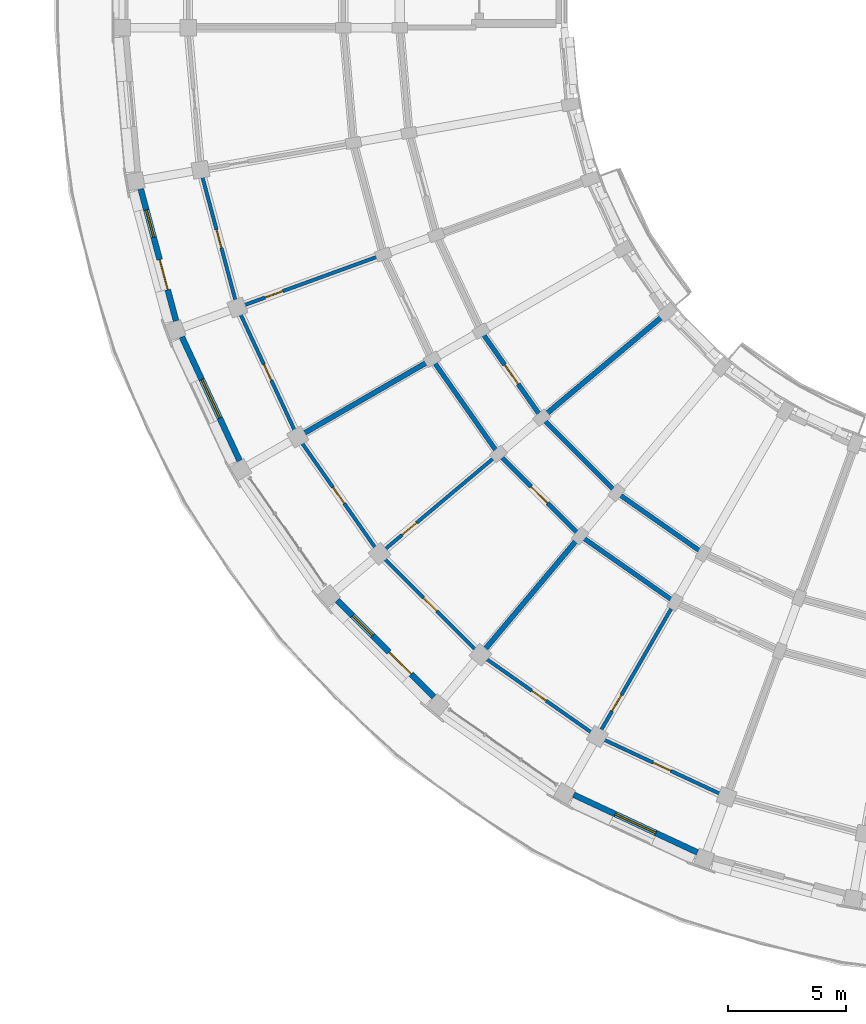
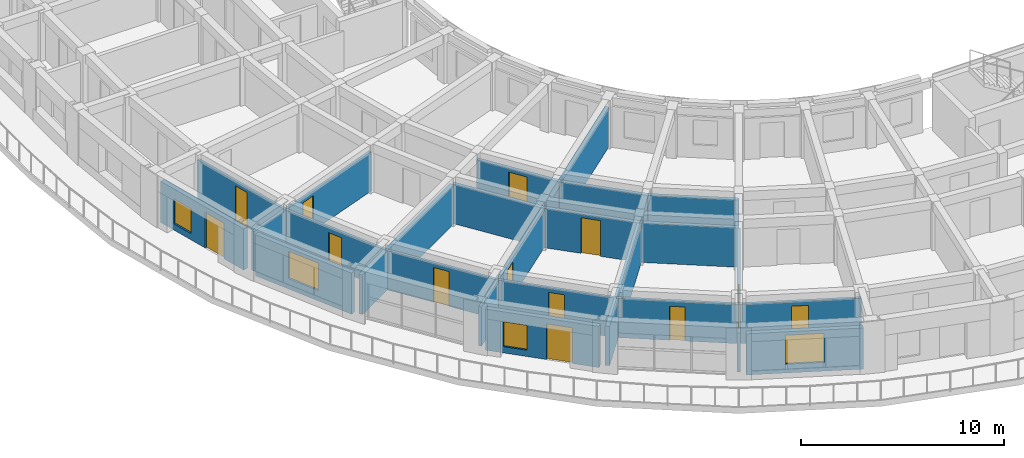
# One storey, part 16 of 54: 22 walls, 13 doors, 4 windows, 17 openings.
"""IFC4 building model written with IfcOpenShell, lengths in metres."""

from ifc_helpers import new_model, si_unit, direction, frame, frame_2d, origin, place, context, subcontext, project, spatial, rectangle, extrude, material, layer, layer_set, type_object, element, fill, save


model = new_model("IFC4")

# Units and contexts
model_context = context("Model", 3, precision=1e-05, world=origin(), true_north=direction((0.0, 1.0)))
body_context = subcontext(model_context, "Body", "Model", "MODEL_VIEW")
ifc_project = project(units=[si_unit("LENGTHUNIT", "METRE"), si_unit("AREAUNIT", "SQUARE_METRE"), si_unit("VOLUMEUNIT", "CUBIC_METRE"), si_unit("PLANEANGLEUNIT", "RADIAN"), si_unit("MASSUNIT", "GRAM", prefix="KILO")], contexts=[model_context])

# Site, building, storey
site_placement = place(None, origin())
site = spatial("IfcSite", under=ifc_project, at=site_placement, CompositionType="ELEMENT")
building_placement = place(site_placement, origin())
building = spatial("IfcBuilding", under=site, at=building_placement, Name="Kiranvali Square Residences", CompositionType="ELEMENT")
storey_placement = place(building_placement, frame((0.0, 0.0, 27.60009765625)))
storey = spatial("IfcBuildingStorey", under=building, at=storey_placement, Name="L08", CompositionType="ELEMENT", Elevation=27.60009765625)

# Walls
ifc_material_1 = material(Name="Autoclaved aerated concrete blockwork masonry", Category="masonry")
ifc_layer_1 = layer(ifc_material_1, 0.199951171875)
ifc_layer_set_1 = layer_set([ifc_layer_1], Name="Autoclaved aerated concrete blockwork masonry")
wall_type_1 = type_object("IfcWallType", Name="WL-COR-200", PredefinedType="STANDARD", material=ifc_layer_set_1)
wall_1_placement = place(storey_placement, frame((35.300048828125, 25.8564453125, 0.0), z_axis=(0.0, 0.0, 1.0), x_axis=(-0.819155404658, 0.573571637217, 0.0)))
element("IfcWall", 1, at=wall_1_placement, inside=storey, type_object=wall_type_1, Name="L08 architectural wall WL-L08-C-CCI-3", PredefinedType="STANDARD", context=body_context, shape_type="SweptSolid", body=[
    extrude(rectangle(XDim=4.497314453125, YDim=0.199951171875, at=frame_2d((2.24853515625, 0.0))), origin(), (0.0, 0.0, 1.0), 2.371826171875),
])
wall_2_placement = place(storey_placement, frame((34.10009765625, 23.778076171875, 0.0), z_axis=(0.0, 0.0, 1.0), x_axis=(-0.819140911474, 0.573592335331, 0.0)))
element("IfcWall", 2, at=wall_2_placement, inside=storey, type_object=wall_type_1, Name="L08 architectural wall WL-L08-C-CCO-3", PredefinedType="STANDARD", context=body_context, shape_type="SweptSolid", body=[
    extrude(rectangle(XDim=4.915771484375, YDim=0.199951171875, at=frame_2d((2.4580078125, 0.0))), origin(), (0.0, 0.0, 1.0), 2.371826171875),
])
wall_3_placement = place(storey_placement, frame((31.615966796875, 28.43603515625, 0.0), z_axis=(0.0, 0.0, 1.0), x_axis=(-0.707106781187, 0.707106781187, 0.0)))
element("IfcWall", 3, at=wall_3_placement, inside=storey, type_object=wall_type_1, Name="L08 architectural wall WL-L08-C-CCI-4", PredefinedType="STANDARD", context=body_context, shape_type="SweptSolid", body=[
    extrude(rectangle(XDim=4.4970703125, YDim=0.199951171875, at=frame_2d((2.24853515625, 0.0))), origin(), (0.0, 0.0, 1.0), 2.371826171875),
])

# Wall, opening, door
wall_4_placement = place(storey_placement, frame((30.073486328125, 26.59765625, 0.0), z_axis=(0.0, 0.0, 1.0), x_axis=(-0.707106781187, 0.707106781187, 0.0)))
wall_4 = element("IfcWall", 4, at=wall_4_placement, inside=storey, type_object=wall_type_1, Name="L08 architectural wall WL-L08-C-CCO-4", PredefinedType="STANDARD", context=body_context, shape_type="SweptSolid", body=[
    extrude(rectangle(XDim=4.91552734375, YDim=0.199951171875, at=frame_2d((2.457763671875, 0.0))), origin(), (0.0, 0.0, 1.0), 2.371826171875),
])
opening_1_placement = place(wall_4_placement, frame((1.957763671875, 0.0, 0.0)))
opening_1 = element("IfcOpeningElement", 5, at=opening_1_placement, cuts=wall_4, Name="Opening FD-APT-60", PredefinedType="OPENING", context=body_context, shape_type="SweptSolid", body=[
    extrude(rectangle(XDim=1.0, YDim=2.14990234375, at=frame_2d((0.5, 1.074951171875))), frame((0.0, 0.10986328125, 0.0), z_axis=(0.0, -1.0, 0.0), x_axis=(1.0, 0.0, 0.0)), (0.0, 0.0, 1.0), 0.219970703125),
])
ifc_material_2 = material(Name="Fire-rated acoustic hardwood and mineral-core door assembly", Category="wood")
door_type_1 = type_object("IfcDoorType", Name="DR-APT-1000", OperationType="NOTDEFINED", PredefinedType="DOOR", material=ifc_material_2)
door_1_placement = place(opening_1_placement, frame((1.0, 0.0, 0.0), z_axis=(0.0, 0.0, 1.0), x_axis=(-1.0, 0.0, 0.0)))
door_1 = element("IfcDoor", 6, at=door_1_placement, inside=storey, type_object=door_type_1, Name="L08 door DR-L08-2234 (DR-APT-1000)", OperationType="SINGLE_SWING_RIGHT", OverallHeight=2.14990234375, OverallWidth=1.0, PredefinedType="DOOR", context=body_context, shape_type="SweptSolid", body=[
    extrude(rectangle(XDim=1.0, YDim=2.14990234375, at=frame_2d((0.5, 1.074951171875))), frame((0.0, 0.02490234375, 0.0), z_axis=(0.0, -1.0, 0.0), x_axis=(1.0, 0.0, 0.0)), (0.0, 0.0, 1.0), 0.050048828125),
])
fill(opening_1, door_1)

wall_5_placement = place(storey_placement, frame((28.43603515625, 31.615966796875, 0.0), z_axis=(0.0, 0.0, 1.0), x_axis=(-0.573571637217, 0.819155404658, 0.0)))
wall_5 = element("IfcWall", 7, at=wall_5_placement, inside=storey, type_object=wall_type_1, Name="L08 architectural wall WL-L08-C-CCI-5", PredefinedType="STANDARD", context=body_context, shape_type="SweptSolid", body=[
    extrude(rectangle(XDim=4.497314453125, YDim=0.199951171875, at=frame_2d((2.24853515625, 0.0))), origin(), (0.0, 0.0, 1.0), 2.371826171875),
])
opening_2_placement = place(wall_5_placement, frame((1.74853515625, 0.0, 0.0)))
opening_2 = element("IfcOpeningElement", 8, at=opening_2_placement, cuts=wall_5, Name="Opening FD-APT-60", PredefinedType="OPENING", context=body_context, shape_type="SweptSolid", body=[
    extrude(rectangle(XDim=1.0, YDim=2.14990234375, at=frame_2d((0.5, 1.074951171875))), frame((0.0, 0.10986328125, 0.0), z_axis=(0.0, -1.0, 0.0), x_axis=(1.0, 0.0, 0.0)), (0.0, 0.0, 1.0), 0.219970703125),
])
door_2_placement = place(opening_2_placement, origin())
door_2 = element("IfcDoor", 9, at=door_2_placement, inside=storey, type_object=door_type_1, Name="L08 door DR-L08-2243 (DR-APT-1000)", OperationType="SINGLE_SWING_LEFT", OverallHeight=2.14990234375, OverallWidth=1.0, PredefinedType="DOOR", context=body_context, shape_type="SweptSolid", body=[
    extrude(rectangle(XDim=1.0, YDim=2.14990234375, at=frame_2d((0.5, 1.074951171875))), frame((0.0, 0.02490234375, 0.0), z_axis=(0.0, -1.0, 0.0), x_axis=(1.0, 0.0, 0.0)), (0.0, 0.0, 1.0), 0.050048828125),
])
fill(opening_2, door_2)

# Walls
wall_6_placement = place(storey_placement, frame((26.59765625, 30.073486328125, 0.0), z_axis=(0.0, 0.0, 1.0), x_axis=(-0.573592335331, 0.819140911474, 0.0)))
element("IfcWall", 10, at=wall_6_placement, inside=storey, type_object=wall_type_1, Name="L08 architectural wall WL-L08-C-CCO-5", PredefinedType="STANDARD", context=body_context, shape_type="SweptSolid", body=[
    extrude(rectangle(XDim=4.915771484375, YDim=0.199951171875, at=frame_2d((2.4580078125, 0.0))), origin(), (0.0, 0.0, 1.0), 2.371826171875),
])
ifc_layer_2 = layer(ifc_material_1, 0.219970703125)
ifc_layer_set_2 = layer_set([ifc_layer_2], Name="Autoclaved aerated concrete blockwork masonry")
wall_type_2 = type_object("IfcWallType", Name="WL-DEM-220", PredefinedType="STANDARD", material=ifc_layer_set_2)
wall_7_placement = place(storey_placement, frame((30.009033203125, 26.52099609375, 0.0), z_axis=(0.0, 0.0, 1.0), x_axis=(-0.642784468535, -0.766047078847, 0.0)))
element("IfcWall", 11, at=wall_7_placement, inside=storey, type_object=wall_type_2, Name="L08 architectural wall WL-L08-C-RADO-4", PredefinedType="STANDARD", context=body_context, shape_type="SweptSolid", body=[
    extrude(rectangle(XDim=9.02001953125, YDim=0.219970703125, at=frame_2d((4.510009765625, 0.0))), origin(), (0.0, 0.0, 1.0), 2.371826171875),
])
wall_8_placement = place(storey_placement, frame((33.645263671875, 35.987060546875, 0.0), z_axis=(0.0, 0.0, 1.0), x_axis=(-0.766046761698, -0.642784846501, 0.0)))
element("IfcWall", 12, at=wall_8_placement, inside=storey, type_object=wall_type_2, Name="L08 architectural wall WL-L08-C-RADI-5", PredefinedType="STANDARD", context=body_context, shape_type="SweptSolid", body=[
    extrude(rectangle(XDim=6.75, YDim=0.219970703125, at=frame_2d((3.375, 0.0))), origin(), (0.0, 0.0, 1.0), 2.371826171875),
])
wall_9_placement = place(storey_placement, frame((23.69140625, 34.050048828125, 0.0), z_axis=(0.0, 0.0, 1.0), x_axis=(-0.866024222538, -0.500002045973, 0.0)))
element("IfcWall", 13, at=wall_9_placement, inside=storey, type_object=wall_type_2, Name="L08 architectural wall WL-L08-C-RADO-6", PredefinedType="STANDARD", context=body_context, shape_type="SweptSolid", body=[
    extrude(rectangle(XDim=9.02001953125, YDim=0.219970703125, at=frame_2d((4.510009765625, 0.0))), origin(), (0.0, 0.0, 1.0), 2.371826171875),
])

# Wall, opening, window
ifc_material_3 = material(Name="Breathable lime-rendered clay brick masonry", Category="masonry")
ifc_layer_3 = layer(ifc_material_3, 0.25)
ifc_layer_set_3 = layer_set([ifc_layer_3], Name="Breathable lime-rendered clay brick masonry")
wall_type_3 = type_object("IfcWallType", Name="WL-EXT-250", PredefinedType="STANDARD", material=ifc_layer_set_3)
wall_10_placement = place(storey_placement, frame((35.05224609375, 13.1396484375, 0.0), z_axis=(0.0, 0.0, 1.0), x_axis=(-0.906312089251, 0.422609035489, 0.0)))
wall_10 = element("IfcWall", 14, at=wall_10_placement, inside=storey, type_object=wall_type_3, Name="L08 exterior wall C-L08-CRV-02", PredefinedType="STANDARD", context=body_context, shape_type="SweptSolid", body=[
    extrude(rectangle(XDim=5.802490234375, YDim=0.25, at=frame_2d((2.9013671875, 0.0))), origin(), (0.0, 0.0, 1.0), 2.47998046875),
])
opening_3_placement = place(wall_10_placement, frame((1.951171875, 0.0, 0.530029296875)))
opening_3 = element("IfcOpeningElement", 15, at=opening_3_placement, cuts=wall_10, Name="Opening W-21", PredefinedType="OPENING", context=body_context, shape_type="SweptSolid", body=[
    extrude(rectangle(XDim=1.89990234375, YDim=1.75, at=frame_2d((0.949951171875, 0.875))), frame((0.0, 0.135009765625, 0.0), z_axis=(0.0, -1.0, 0.0), x_axis=(1.0, 0.0, 0.0)), (0.0, 0.0, 1.0), 0.27001953125),
])
ifc_material_4 = material(Name="Solar-control low-e double glazing", Category="glass")
window_type_1 = type_object("IfcWindowType", Name="WIN-TER-1900x1750", PartitioningType="DOUBLE_PANEL_VERTICAL", PredefinedType="WINDOW", material=ifc_material_4)
window_1_placement = place(opening_3_placement, origin())
window_1 = element("IfcWindow", 16, at=window_1_placement, inside=storey, type_object=window_type_1, Name="L08 recessed window C-L08-CRV-02", OverallHeight=1.75, OverallWidth=1.89990234375, PartitioningType="DOUBLE_PANEL_VERTICAL", PredefinedType="WINDOW", context=body_context, shape_type="SweptSolid", body=[
    extrude(rectangle(XDim=1.89990234375, YDim=1.75, at=frame_2d((0.949951171875, 0.875))), frame((0.0, 0.030029296875, 0.0), z_axis=(0.0, -1.0, 0.0), x_axis=(1.0, 0.0, 0.0)), (0.0, 0.0, 1.0), 0.06005859375),
])
fill(opening_3, window_1)

# Wall, openings, door, window
wall_11_placement = place(storey_placement, frame((23.853759765625, 19.7509765625, 0.0), z_axis=(0.0, 0.0, 1.0), x_axis=(-0.707106781187, 0.707106781187, 0.0)))
wall_11 = element("IfcWall", 17, at=wall_11_placement, inside=storey, type_object=wall_type_3, Name="L08 exterior wall C-L08-CRV-04", PredefinedType="STANDARD", context=body_context, shape_type="SweptSolid", body=[
    extrude(rectangle(XDim=5.80224609375, YDim=0.25, at=frame_2d((2.901123046875, 0.0))), origin(), (0.0, 0.0, 1.0), 2.47998046875),
])
opening_4_placement = place(wall_11_placement, frame((3.68212890625, 0.0, 0.3798828125)))
opening_4 = element("IfcOpeningElement", 18, at=opening_4_placement, cuts=wall_11, Name="Opening W-06", PredefinedType="OPENING", context=body_context, shape_type="SweptSolid", body=[
    extrude(rectangle(XDim=1.199951171875, YDim=1.5, at=frame_2d((0.60009765625, 0.75))), frame((0.0, 0.135009765625, 0.0), z_axis=(0.0, -1.0, 0.0), x_axis=(1.0, 0.0, 0.0)), (0.0, 0.0, 1.0), 0.27001953125),
])
opening_5_placement = place(wall_11_placement, frame((1.370849609375, 0.0, 0.0)))
opening_5 = element("IfcOpeningElement", 19, at=opening_5_placement, cuts=wall_11, Name="Opening ED-BAL-3", PredefinedType="OPENING", context=body_context, shape_type="SweptSolid", body=[
    extrude(rectangle(XDim=1.320068359375, YDim=2.14990234375, at=frame_2d((0.66015625, 1.074951171875))), frame((0.0, 0.135009765625, 0.0), z_axis=(0.0, -1.0, 0.0), x_axis=(1.0, 0.0, 0.0)), (0.0, 0.0, 1.0), 0.27001953125),
])
ifc_material_5 = material(Name="Anodised bronze aluminium framing", Category="aluminium")
door_type_2 = type_object("IfcDoorType", Name="DR-BAL-1320", OperationType="NOTDEFINED", PredefinedType="DOOR", material=ifc_material_5)
door_3_placement = place(opening_5_placement, origin())
door_3 = element("IfcDoor", 20, at=door_3_placement, inside=storey, type_object=door_type_2, Name="L08 balcony terrace door", OperationType="SINGLE_SWING_LEFT", OverallHeight=2.14990234375, OverallWidth=1.320068359375, PredefinedType="DOOR", context=body_context, shape_type="SweptSolid", body=[
    extrude(rectangle(XDim=1.320068359375, YDim=2.14990234375, at=frame_2d((0.66015625, 1.074951171875))), frame((0.0, 0.02490234375, 0.0), z_axis=(0.0, -1.0, 0.0), x_axis=(1.0, 0.0, 0.0)), (0.0, 0.0, 1.0), 0.050048828125),
])
fill(opening_5, door_3)
window_type_2 = type_object("IfcWindowType", Name="WIN-RES-1200x1500", PartitioningType="SINGLE_PANEL", PredefinedType="WINDOW", material=ifc_material_4)
window_2_placement = place(opening_4_placement, origin())
window_2 = element("IfcWindow", 21, at=window_2_placement, inside=storey, type_object=window_type_2, Name="L08 recessed window C-L08-CRV-04", OverallHeight=1.5, OverallWidth=1.199951171875, PartitioningType="SINGLE_PANEL", PredefinedType="WINDOW", context=body_context, shape_type="SweptSolid", body=[
    extrude(rectangle(XDim=1.199951171875, YDim=1.5, at=frame_2d((0.60009765625, 0.75))), frame((0.0, 0.030029296875, 0.0), z_axis=(0.0, -1.0, 0.0), x_axis=(1.0, 0.0, 0.0)), (0.0, 0.0, 1.0), 0.06005859375),
])
fill(opening_4, window_2)

# Wall, opening, window
wall_12_placement = place(storey_placement, frame((15.591796875, 29.79345703125, 0.0), z_axis=(0.0, 0.0, 1.0), x_axis=(-0.422609035489, 0.906312089251, 0.0)))
wall_12 = element("IfcWall", 22, at=wall_12_placement, inside=storey, type_object=wall_type_3, Name="L08 exterior wall C-L08-CRV-06", PredefinedType="STANDARD", context=body_context, shape_type="SweptSolid", body=[
    extrude(rectangle(XDim=5.802490234375, YDim=0.25, at=frame_2d((2.9013671875, 0.0))), origin(), (0.0, 0.0, 1.0), 2.47998046875),
])
opening_6_placement = place(wall_12_placement, frame((2.001220703125, 0.0, 0.6298828125)))
opening_6 = element("IfcOpeningElement", 23, at=opening_6_placement, cuts=wall_12, Name="Opening W-04", PredefinedType="OPENING", context=body_context, shape_type="SweptSolid", body=[
    extrude(rectangle(XDim=1.800048828125, YDim=1.64990234375, at=frame_2d((0.89990234375, 0.824951171875))), frame((0.0, 0.135009765625, 0.0), z_axis=(0.0, -1.0, 0.0), x_axis=(1.0, 0.0, 0.0)), (0.0, 0.0, 1.0), 0.27001953125),
])
window_type_3 = type_object("IfcWindowType", Name="WIN-RES-1800x1650", PartitioningType="DOUBLE_PANEL_VERTICAL", PredefinedType="WINDOW", material=ifc_material_4)
window_3_placement = place(opening_6_placement, origin())
window_3 = element("IfcWindow", 24, at=window_3_placement, inside=storey, type_object=window_type_3, Name="L08 recessed window C-L08-CRV-06", OverallHeight=1.64990234375, OverallWidth=1.800048828125, PartitioningType="DOUBLE_PANEL_VERTICAL", PredefinedType="WINDOW", context=body_context, shape_type="SweptSolid", body=[
    extrude(rectangle(XDim=1.800048828125, YDim=1.64990234375, at=frame_2d((0.89990234375, 0.824951171875))), frame((0.0, 0.030029296875, 0.0), z_axis=(0.0, -1.0, 0.0), x_axis=(1.0, 0.0, 0.0)), (0.0, 0.0, 1.0), 0.06005859375),
])
fill(opening_6, window_3)

# Wall, openings, door, window
wall_13_placement = place(storey_placement, frame((12.89111328125, 35.7353515625, 0.0), z_axis=(0.0, 0.0, 1.0), x_axis=(-0.258846147355, 0.965918563855, 0.0)))
wall_13 = element("IfcWall", 25, at=wall_13_placement, inside=storey, type_object=wall_type_3, Name="L08 exterior wall C-L08-CRV-07", PredefinedType="STANDARD", context=body_context, shape_type="SweptSolid", body=[
    extrude(rectangle(XDim=5.802490234375, YDim=0.25, at=frame_2d((2.9013671875, 0.0))), origin(), (0.0, 0.0, 1.0), 2.47998046875),
])
opening_7_placement = place(wall_13_placement, frame((3.68212890625, 0.0, 0.3798828125)))
opening_7 = element("IfcOpeningElement", 26, at=opening_7_placement, cuts=wall_13, Name="Opening W-06", PredefinedType="OPENING", context=body_context, shape_type="SweptSolid", body=[
    extrude(rectangle(XDim=1.199951171875, YDim=1.5, at=frame_2d((0.60009765625, 0.75))), frame((0.0, 0.135009765625, 0.0), z_axis=(0.0, -1.0, 0.0), x_axis=(1.0, 0.0, 0.0)), (0.0, 0.0, 1.0), 0.27001953125),
])
opening_8_placement = place(wall_13_placement, frame((1.370849609375, 0.0, 0.0)))
opening_8 = element("IfcOpeningElement", 27, at=opening_8_placement, cuts=wall_13, Name="Opening ED-BAL-3", PredefinedType="OPENING", context=body_context, shape_type="SweptSolid", body=[
    extrude(rectangle(XDim=1.320068359375, YDim=2.14990234375, at=frame_2d((0.66015625, 1.074951171875))), frame((0.0, 0.135009765625, 0.0), z_axis=(0.0, -1.0, 0.0), x_axis=(1.0, 0.0, 0.0)), (0.0, 0.0, 1.0), 0.27001953125),
])
door_4_placement = place(opening_8_placement, origin())
door_4 = element("IfcDoor", 28, at=door_4_placement, inside=storey, type_object=door_type_2, Name="L08 balcony terrace door", OperationType="SINGLE_SWING_RIGHT", OverallHeight=2.14990234375, OverallWidth=1.320068359375, PredefinedType="DOOR", context=body_context, shape_type="SweptSolid", body=[
    extrude(rectangle(XDim=1.320068359375, YDim=2.14990234375, at=frame_2d((0.66015625, 1.074951171875))), frame((0.0, 0.02490234375, 0.0), z_axis=(0.0, -1.0, 0.0), x_axis=(1.0, 0.0, 0.0)), (0.0, 0.0, 1.0), 0.050048828125),
])
fill(opening_8, door_4)
window_4_placement = place(opening_7_placement, origin())
window_4 = element("IfcWindow", 29, at=window_4_placement, inside=storey, type_object=window_type_2, Name="L08 recessed window C-L08-CRV-07", OverallHeight=1.5, OverallWidth=1.199951171875, PartitioningType="SINGLE_PANEL", PredefinedType="WINDOW", context=body_context, shape_type="SweptSolid", body=[
    extrude(rectangle(XDim=1.199951171875, YDim=1.5, at=frame_2d((0.60009765625, 0.75))), frame((0.0, 0.030029296875, 0.0), z_axis=(0.0, -1.0, 0.0), x_axis=(1.0, 0.0, 0.0)), (0.0, 0.0, 1.0), 0.06005859375),
])
fill(opening_7, window_4)

# Wall, opening, door
ifc_material_6 = material(Name="Acoustic gypsum board drylined partition", Category="gypsum")
ifc_layer_4 = layer(ifc_material_6, 0.14990234375)
ifc_layer_set_4 = layer_set([ifc_layer_4], Name="Acoustic gypsum board drylined partition")
wall_type_4 = type_object("IfcWallType", Name="WL-PRT-150", PredefinedType="PARTITIONING", material=ifc_layer_set_4)
wall_14_placement = place(storey_placement, frame((34.050048828125, 23.69140625, 0.0), z_axis=(0.0, 0.0, 1.0), x_axis=(-0.500002045973, -0.866024222538, 0.0)))
wall_14 = element("IfcWall", 30, at=wall_14_placement, inside=storey, type_object=wall_type_4, Name="L08 architectural wall WL-L08-C-RADO-3", PredefinedType="PARTITIONING", context=body_context, shape_type="SweptSolid", body=[
    extrude(rectangle(XDim=9.02001953125, YDim=0.14990234375, at=frame_2d((4.510009765625, 0.0))), origin(), (0.0, 0.0, 1.0), 2.371826171875),
])
opening_9_placement = place(wall_14_placement, frame((4.449951171875, 0.0, 0.0)))
opening_9 = element("IfcOpeningElement", 31, at=opening_9_placement, cuts=wall_14, Name="Opening ID-WET", PredefinedType="OPENING", context=body_context, shape_type="SweptSolid", body=[
    extrude(rectangle(XDim=0.800048828125, YDim=2.10009765625, at=frame_2d((0.39990234375, 1.050048828125))), frame((0.0, 0.0849609375, 0.0), z_axis=(0.0, -1.0, 0.0), x_axis=(1.0, 0.0, 0.0)), (0.0, 0.0, 1.0), 0.169921875),
])
ifc_material_7 = material(Name="Solid seasoned teak hardwood joinery", Category="wood")
door_type_3 = type_object("IfcDoorType", Name="DR-WET-800", OperationType="NOTDEFINED", PredefinedType="DOOR", material=ifc_material_7)
door_5_placement = place(opening_9_placement, frame((0.800048828125, 0.0, 0.0), z_axis=(0.0, 0.0, 1.0), x_axis=(-1.0, 0.0, 0.0)))
door_5 = element("IfcDoor", 32, at=door_5_placement, inside=storey, type_object=door_type_3, Name="L08 door DR-L08-2224 (DR-WET-800)", OperationType="SINGLE_SWING_RIGHT", OverallHeight=2.10009765625, OverallWidth=0.800048828125, PredefinedType="DOOR", context=body_context, shape_type="SweptSolid", body=[
    extrude(rectangle(XDim=0.800048828125, YDim=2.10009765625, at=frame_2d((0.39990234375, 1.050048828125))), frame((0.0, 0.02490234375, 0.0), z_axis=(0.0, -1.0, 0.0), x_axis=(1.0, 0.0, 0.0)), (0.0, 0.0, 1.0), 0.050048828125),
])
fill(opening_9, door_5)

wall_15_placement = place(storey_placement, frame((26.52099609375, 30.009033203125, 0.0), z_axis=(0.0, 0.0, 1.0), x_axis=(-0.766047078847, -0.642784468535, 0.0)))
wall_15 = element("IfcWall", 33, at=wall_15_placement, inside=storey, type_object=wall_type_4, Name="L08 architectural wall WL-L08-C-RADO-5", PredefinedType="PARTITIONING", context=body_context, shape_type="SweptSolid", body=[
    extrude(rectangle(XDim=9.02001953125, YDim=0.14990234375, at=frame_2d((4.510009765625, 0.0))), origin(), (0.0, 0.0, 1.0), 2.371826171875),
])
opening_10_placement = place(wall_15_placement, frame((4.449951171875, 0.0, 0.0)))
opening_10 = element("IfcOpeningElement", 34, at=opening_10_placement, cuts=wall_15, Name="Opening ID-WET", PredefinedType="OPENING", context=body_context, shape_type="SweptSolid", body=[
    extrude(rectangle(XDim=0.800048828125, YDim=2.10009765625, at=frame_2d((0.39990234375, 1.050048828125))), frame((0.0, 0.0849609375, 0.0), z_axis=(0.0, -1.0, 0.0), x_axis=(1.0, 0.0, 0.0)), (0.0, 0.0, 1.0), 0.169921875),
])
door_6_placement = place(opening_10_placement, origin())
door_6 = element("IfcDoor", 35, at=door_6_placement, inside=storey, type_object=door_type_3, Name="L08 door DR-L08-2225 (DR-WET-800)", OperationType="SINGLE_SWING_LEFT", OverallHeight=2.10009765625, OverallWidth=0.800048828125, PredefinedType="DOOR", context=body_context, shape_type="SweptSolid", body=[
    extrude(rectangle(XDim=0.800048828125, YDim=2.10009765625, at=frame_2d((0.39990234375, 1.050048828125))), frame((0.0, 0.02490234375, 0.0), z_axis=(0.0, -1.0, 0.0), x_axis=(1.0, 0.0, 0.0)), (0.0, 0.0, 1.0), 0.050048828125),
])
fill(opening_10, door_6)

wall_16_placement = place(storey_placement, frame((21.606689453125, 38.520751953125, 0.0), z_axis=(0.0, 0.0, 1.0), x_axis=(-0.939695392201, -0.342012528828, 0.0)))
wall_16 = element("IfcWall", 36, at=wall_16_placement, inside=storey, type_object=wall_type_4, Name="L08 architectural wall WL-L08-C-RADO-7", PredefinedType="PARTITIONING", context=body_context, shape_type="SweptSolid", body=[
    extrude(rectangle(XDim=9.02001953125, YDim=0.14990234375, at=frame_2d((4.510009765625, 0.0))), origin(), (0.0, 0.0, 1.0), 2.371826171875),
])
opening_11_placement = place(wall_16_placement, frame((4.449951171875, 0.0, 0.0)))
opening_11 = element("IfcOpeningElement", 37, at=opening_11_placement, cuts=wall_16, Name="Opening ID-WET", PredefinedType="OPENING", context=body_context, shape_type="SweptSolid", body=[
    extrude(rectangle(XDim=0.800048828125, YDim=2.10009765625, at=frame_2d((0.39990234375, 1.050048828125))), frame((0.0, 0.0849609375, 0.0), z_axis=(0.0, -1.0, 0.0), x_axis=(1.0, 0.0, 0.0)), (0.0, 0.0, 1.0), 0.169921875),
])
door_7_placement = place(opening_11_placement, frame((0.800048828125, 0.0, 0.0), z_axis=(0.0, 0.0, 1.0), x_axis=(-1.0, 0.0, 0.0)))
door_7 = element("IfcDoor", 38, at=door_7_placement, inside=storey, type_object=door_type_3, Name="L08 door DR-L08-2226 (DR-WET-800)", OperationType="SINGLE_SWING_RIGHT", OverallHeight=2.10009765625, OverallWidth=0.800048828125, PredefinedType="DOOR", context=body_context, shape_type="SweptSolid", body=[
    extrude(rectangle(XDim=0.800048828125, YDim=2.10009765625, at=frame_2d((0.39990234375, 1.050048828125))), frame((0.0, 0.02490234375, 0.0), z_axis=(0.0, -1.0, 0.0), x_axis=(1.0, 0.0, 0.0)), (0.0, 0.0, 1.0), 0.050048828125),
])
fill(opening_11, door_7)

ifc_layer_5 = layer(ifc_material_1, 0.14990234375)
ifc_layer_set_5 = layer_set([ifc_layer_5], Name="Autoclaved aerated concrete blockwork masonry")
wall_type_5 = type_object("IfcWallType", Name="WL-WET-150", PredefinedType="PLUMBINGWALL", material=ifc_layer_set_5)
wall_17_placement = place(storey_placement, frame((36.297607421875, 15.498779296875, 0.0), z_axis=(0.0, 0.0, 1.0), x_axis=(-0.906312656069, 0.42260781991, 0.0)))
wall_17 = element("IfcWall", 39, at=wall_17_placement, inside=storey, type_object=wall_type_5, Name="L08 architectural wall WL-L08-C-CWET-2", PredefinedType="PLUMBINGWALL", context=body_context, shape_type="SweptSolid", body=[
    extrude(rectangle(XDim=6.06591796875, YDim=0.14990234375, at=frame_2d((3.032958984375, 0.0))), origin(), (0.0, 0.0, 1.0), 2.371826171875),
])
opening_12_placement = place(wall_17_placement, frame((2.613037109375, 0.0, 0.0)))
opening_12 = element("IfcOpeningElement", 40, at=opening_12_placement, cuts=wall_17, Name="Opening ID-WET2", PredefinedType="OPENING", context=body_context, shape_type="SweptSolid", body=[
    extrude(rectangle(XDim=0.840087890625, YDim=2.10009765625, at=frame_2d((0.419921875, 1.050048828125))), frame((0.0, 0.0849609375, 0.0), z_axis=(0.0, -1.0, 0.0), x_axis=(1.0, 0.0, 0.0)), (0.0, 0.0, 1.0), 0.169921875),
])
door_type_4 = type_object("IfcDoorType", Name="DR-WET-840", OperationType="NOTDEFINED", PredefinedType="DOOR", material=ifc_material_7)
door_8_placement = place(opening_12_placement, frame((0.840087890625, 0.0, 0.0), z_axis=(0.0, 0.0, 1.0), x_axis=(-1.0, 0.0, 0.0)))
door_8 = element("IfcDoor", 41, at=door_8_placement, inside=storey, type_object=door_type_4, Name="L08 door DR-L08-2232 (DR-WET-840)", OperationType="SINGLE_SWING_RIGHT", OverallHeight=2.10009765625, OverallWidth=0.840087890625, PredefinedType="DOOR", context=body_context, shape_type="SweptSolid", body=[
    extrude(rectangle(XDim=0.840087890625, YDim=2.10009765625, at=frame_2d((0.419921875, 1.050048828125))), frame((0.0, 0.02490234375, 0.0), z_axis=(0.0, -1.0, 0.0), x_axis=(1.0, 0.0, 0.0)), (0.0, 0.0, 1.0), 0.050048828125),
])
fill(opening_12, door_8)

wall_18_placement = place(storey_placement, frame((30.800048828125, 18.062255859375, 0.0), z_axis=(0.0, 0.0, 1.0), x_axis=(-0.81913926159, 0.573594691504, 0.0)))
wall_18 = element("IfcWall", 42, at=wall_18_placement, inside=storey, type_object=wall_type_5, Name="L08 architectural wall WL-L08-C-CWET-3", PredefinedType="PLUMBINGWALL", context=body_context, shape_type="SweptSolid", body=[
    extrude(rectangle(XDim=6.066162109375, YDim=0.14990234375, at=frame_2d((3.033203125, 0.0))), origin(), (0.0, 0.0, 1.0), 2.371826171875),
])
opening_13_placement = place(wall_18_placement, frame((2.653076171875, 0.0, 0.0)))
opening_13 = element("IfcOpeningElement", 43, at=opening_13_placement, cuts=wall_18, Name="Opening ID-WET0", PredefinedType="OPENING", context=body_context, shape_type="SweptSolid", body=[
    extrude(rectangle(XDim=0.760009765625, YDim=2.050048828125, at=frame_2d((0.3798828125, 1.02490234375))), frame((0.0, 0.0849609375, 0.0), z_axis=(0.0, -1.0, 0.0), x_axis=(1.0, 0.0, 0.0)), (0.0, 0.0, 1.0), 0.169921875),
])
door_type_5 = type_object("IfcDoorType", Name="DR-WET-760", OperationType="NOTDEFINED", PredefinedType="DOOR", material=ifc_material_7)
door_9_placement = place(opening_13_placement, origin())
door_9 = element("IfcDoor", 44, at=door_9_placement, inside=storey, type_object=door_type_5, Name="L08 door DR-L08-2233 (DR-WET-760)", OperationType="SINGLE_SWING_LEFT", OverallHeight=2.050048828125, OverallWidth=0.760009765625, PredefinedType="DOOR", context=body_context, shape_type="SweptSolid", body=[
    extrude(rectangle(XDim=0.760009765625, YDim=2.050048828125, at=frame_2d((0.3798828125, 1.02490234375))), frame((0.0, 0.02490234375, 0.0), z_axis=(0.0, -1.0, 0.0), x_axis=(1.0, 0.0, 0.0)), (0.0, 0.0, 1.0), 0.050048828125),
])
fill(opening_13, door_9)

wall_19_placement = place(storey_placement, frame((25.8310546875, 21.541748046875, 0.0), z_axis=(0.0, 0.0, 1.0), x_axis=(-0.707106781187, 0.707106781187, 0.0)))
wall_19 = element("IfcWall", 45, at=wall_19_placement, inside=storey, type_object=wall_type_5, Name="L08 architectural wall WL-L08-C-CWET-4", PredefinedType="PLUMBINGWALL", context=body_context, shape_type="SweptSolid", body=[
    extrude(rectangle(XDim=6.06591796875, YDim=0.14990234375, at=frame_2d((3.032958984375, 0.0))), origin(), (0.0, 0.0, 1.0), 2.371826171875),
])
opening_14_placement = place(wall_19_placement, frame((2.633056640625, 0.0, 0.0)))
opening_14 = element("IfcOpeningElement", 46, at=opening_14_placement, cuts=wall_19, Name="Opening ID-WET", PredefinedType="OPENING", context=body_context, shape_type="SweptSolid", body=[
    extrude(rectangle(XDim=0.800048828125, YDim=2.10009765625, at=frame_2d((0.39990234375, 1.050048828125))), frame((0.0, 0.0849609375, 0.0), z_axis=(0.0, -1.0, 0.0), x_axis=(1.0, 0.0, 0.0)), (0.0, 0.0, 1.0), 0.169921875),
])
door_10_placement = place(opening_14_placement, origin())
door_10 = element("IfcDoor", 47, at=door_10_placement, inside=storey, type_object=door_type_3, Name="L08 door DR-L08-2235 (DR-WET-800)", OperationType="SINGLE_SWING_LEFT", OverallHeight=2.10009765625, OverallWidth=0.800048828125, PredefinedType="DOOR", context=body_context, shape_type="SweptSolid", body=[
    extrude(rectangle(XDim=0.800048828125, YDim=2.10009765625, at=frame_2d((0.39990234375, 1.050048828125))), frame((0.0, 0.02490234375, 0.0), z_axis=(0.0, -1.0, 0.0), x_axis=(1.0, 0.0, 0.0)), (0.0, 0.0, 1.0), 0.050048828125),
])
fill(opening_14, door_10)

wall_20_placement = place(storey_placement, frame((21.541748046875, 25.8310546875, 0.0), z_axis=(0.0, 0.0, 1.0), x_axis=(-0.573594691504, 0.81913926159, 0.0)))
wall_20 = element("IfcWall", 48, at=wall_20_placement, inside=storey, type_object=wall_type_5, Name="L08 architectural wall WL-L08-C-CWET-5", PredefinedType="PLUMBINGWALL", context=body_context, shape_type="SweptSolid", body=[
    extrude(rectangle(XDim=6.066162109375, YDim=0.14990234375, at=frame_2d((3.033203125, 0.0))), origin(), (0.0, 0.0, 1.0), 2.371826171875),
])
opening_15_placement = place(wall_20_placement, frame((2.613037109375, 0.0, 0.0)))
opening_15 = element("IfcOpeningElement", 49, at=opening_15_placement, cuts=wall_20, Name="Opening ID-WET2", PredefinedType="OPENING", context=body_context, shape_type="SweptSolid", body=[
    extrude(rectangle(XDim=0.840087890625, YDim=2.10009765625, at=frame_2d((0.419921875, 1.050048828125))), frame((0.0, 0.0849609375, 0.0), z_axis=(0.0, -1.0, 0.0), x_axis=(1.0, 0.0, 0.0)), (0.0, 0.0, 1.0), 0.169921875),
])
door_11_placement = place(opening_15_placement, frame((0.840087890625, 0.0, 0.0), z_axis=(0.0, 0.0, 1.0), x_axis=(-1.0, 0.0, 0.0)))
door_11 = element("IfcDoor", 50, at=door_11_placement, inside=storey, type_object=door_type_4, Name="L08 door DR-L08-2236 (DR-WET-840)", OperationType="SINGLE_SWING_RIGHT", OverallHeight=2.10009765625, OverallWidth=0.840087890625, PredefinedType="DOOR", context=body_context, shape_type="SweptSolid", body=[
    extrude(rectangle(XDim=0.840087890625, YDim=2.10009765625, at=frame_2d((0.419921875, 1.050048828125))), frame((0.0, 0.02490234375, 0.0), z_axis=(0.0, -1.0, 0.0), x_axis=(1.0, 0.0, 0.0)), (0.0, 0.0, 1.0), 0.050048828125),
])
fill(opening_15, door_11)

wall_21_placement = place(storey_placement, frame((18.062255859375, 30.800048828125, 0.0), z_axis=(0.0, 0.0, 1.0), x_axis=(-0.42260781991, 0.906312656069, 0.0)))
wall_21 = element("IfcWall", 51, at=wall_21_placement, inside=storey, type_object=wall_type_5, Name="L08 architectural wall WL-L08-C-CWET-6", PredefinedType="PLUMBINGWALL", context=body_context, shape_type="SweptSolid", body=[
    extrude(rectangle(XDim=6.06591796875, YDim=0.14990234375, at=frame_2d((3.032958984375, 0.0))), origin(), (0.0, 0.0, 1.0), 2.371826171875),
])
opening_16_placement = place(wall_21_placement, frame((2.653076171875, 0.0, 0.0)))
opening_16 = element("IfcOpeningElement", 52, at=opening_16_placement, cuts=wall_21, Name="Opening ID-WET0", PredefinedType="OPENING", context=body_context, shape_type="SweptSolid", body=[
    extrude(rectangle(XDim=0.760009765625, YDim=2.050048828125, at=frame_2d((0.3798828125, 1.02490234375))), frame((0.0, 0.0849609375, 0.0), z_axis=(0.0, -1.0, 0.0), x_axis=(1.0, 0.0, 0.0)), (0.0, 0.0, 1.0), 0.169921875),
])
door_12_placement = place(opening_16_placement, frame((0.760009765625, 0.0, 0.0), z_axis=(0.0, 0.0, 1.0), x_axis=(-1.0, 0.0, 0.0)))
door_12 = element("IfcDoor", 53, at=door_12_placement, inside=storey, type_object=door_type_5, Name="L08 door DR-L08-2238 (DR-WET-760)", OperationType="SINGLE_SWING_RIGHT", OverallHeight=2.050048828125, OverallWidth=0.760009765625, PredefinedType="DOOR", context=body_context, shape_type="SweptSolid", body=[
    extrude(rectangle(XDim=0.760009765625, YDim=2.050048828125, at=frame_2d((0.3798828125, 1.02490234375))), frame((0.0, 0.02490234375, 0.0), z_axis=(0.0, -1.0, 0.0), x_axis=(1.0, 0.0, 0.0)), (0.0, 0.0, 1.0), 0.050048828125),
])
fill(opening_16, door_12)

wall_22_placement = place(storey_placement, frame((15.498779296875, 36.297607421875, 0.0), z_axis=(0.0, 0.0, 1.0), x_axis=(-0.258827283048, 0.965923618901, 0.0)))
wall_22 = element("IfcWall", 54, at=wall_22_placement, inside=storey, type_object=wall_type_5, Name="L08 architectural wall WL-L08-C-CWET-7", PredefinedType="PLUMBINGWALL", context=body_context, shape_type="SweptSolid", body=[
    extrude(rectangle(XDim=6.066162109375, YDim=0.14990234375, at=frame_2d((3.033203125, 0.0))), origin(), (0.0, 0.0, 1.0), 2.371826171875),
])
opening_17_placement = place(wall_22_placement, frame((2.633056640625, 0.0, 0.0)))
opening_17 = element("IfcOpeningElement", 55, at=opening_17_placement, cuts=wall_22, Name="Opening ID-WET", PredefinedType="OPENING", context=body_context, shape_type="SweptSolid", body=[
    extrude(rectangle(XDim=0.800048828125, YDim=2.10009765625, at=frame_2d((0.39990234375, 1.050048828125))), frame((0.0, 0.0849609375, 0.0), z_axis=(0.0, -1.0, 0.0), x_axis=(1.0, 0.0, 0.0)), (0.0, 0.0, 1.0), 0.169921875),
])
door_13_placement = place(opening_17_placement, origin())
door_13 = element("IfcDoor", 56, at=door_13_placement, inside=storey, type_object=door_type_3, Name="L08 door DR-L08-2239 (DR-WET-800)", OperationType="SINGLE_SWING_LEFT", OverallHeight=2.10009765625, OverallWidth=0.800048828125, PredefinedType="DOOR", context=body_context, shape_type="SweptSolid", body=[
    extrude(rectangle(XDim=0.800048828125, YDim=2.10009765625, at=frame_2d((0.39990234375, 1.050048828125))), frame((0.0, 0.02490234375, 0.0), z_axis=(0.0, -1.0, 0.0), x_axis=(1.0, 0.0, 0.0)), (0.0, 0.0, 1.0), 0.050048828125),
])
fill(opening_17, door_13)

save(model, "model.ifc")
